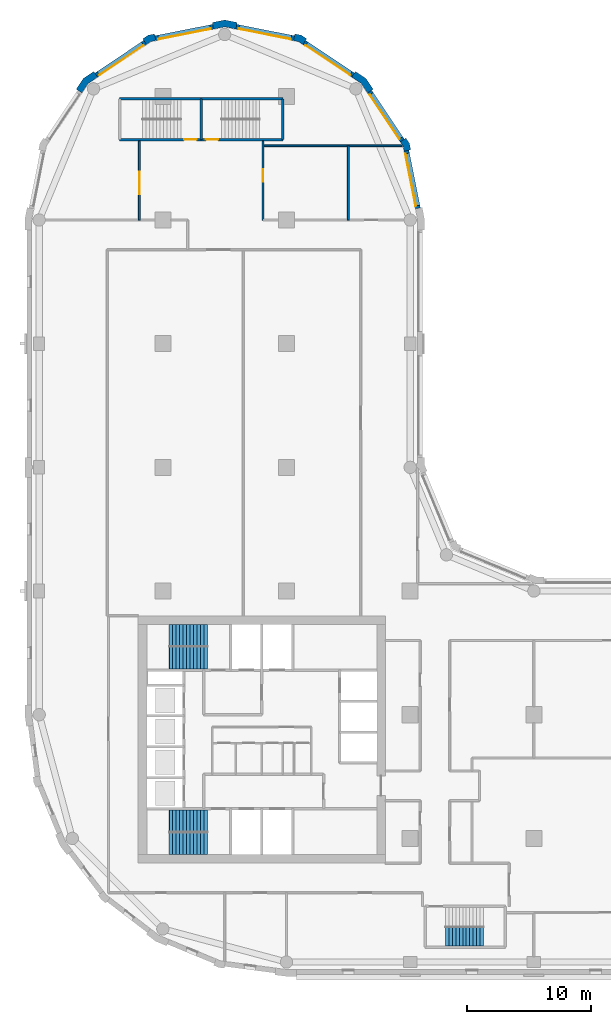
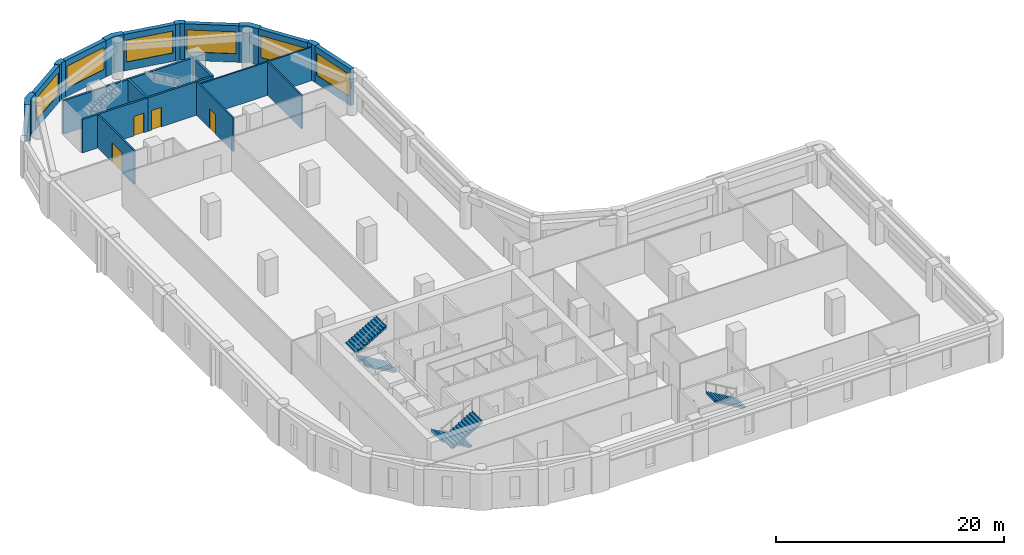
# One storey, part 6 of 9: 22 walls, 6 windows, 5 stair flights, 4 doors, 10 openings, 3 elements without a shape of their own.
"""IFC4 building model written with IfcOpenShell, lengths in metres."""

from ifc_helpers import new_model, si_unit, direction, frame, frame_2d, origin, place, context, subcontext, project, spatial, polyline, rectangle, outline, extrude, material, layer, layer_set, type_object, element, fill, aggregate, save


model = new_model("IFC4")

# Units and contexts
model_context = context("Model", 3, precision=1e-05, world=origin(), true_north=direction((0.0, 1.0)))
body_context = subcontext(model_context, "Body", "Model", "MODEL_VIEW")
ifc_project = project(units=[si_unit("LENGTHUNIT", "METRE"), si_unit("AREAUNIT", "SQUARE_METRE"), si_unit("VOLUMEUNIT", "CUBIC_METRE"), si_unit("PLANEANGLEUNIT", "RADIAN"), si_unit("MASSUNIT", "GRAM", prefix="KILO")], contexts=[model_context])

# Site, building, storey
site_placement = place(None, origin())
site = spatial("IfcSite", under=ifc_project, at=site_placement, CompositionType="ELEMENT")
building_placement = place(site_placement, origin())
building = spatial("IfcBuilding", under=site, at=building_placement, Name="Qaws Garden Tower", CompositionType="ELEMENT")
storey_placement = place(building_placement, frame((0.0, 0.0, 143.39990234375)))
storey = spatial("IfcBuildingStorey", under=building, at=storey_placement, Name="L34", CompositionType="ELEMENT", Elevation=143.39990234375)

# Wall, opening, window
ifc_material_1 = material(Name="Clay facing brick masonry", Category="masonry")
ifc_layer_1 = layer(ifc_material_1, 0.39990234375)
ifc_layer_set_1 = layer_set([ifc_layer_1], Name="Clay facing brick masonry")
wall_type_1 = type_object("IfcWallType", Name="Brick infill wall 400", PredefinedType="SOLIDWALL", material=ifc_layer_set_1)
wall_1_placement = place(storey_placement, frame((30.628662109375, 60.940673828125, 0.0), z_axis=(0.0, 0.0, 1.0), x_axis=(-0.195098533057, 0.98078364709, 0.0)))
wall_1 = element("IfcWall", 1, at=wall_1_placement, inside=storey, type_object=wall_type_1, Name="E-L34-infill-13", PredefinedType="SOLIDWALL", context=body_context, shape_type="SweptSolid", body=[
    extrude(rectangle(XDim=4.752685546875, YDim=0.39990234375, at=frame_2d((2.37646484375, 0.0))), origin(), (0.0, 0.0, 1.0), 3.900146484375),
])
opening_1_placement = place(wall_1_placement, frame((0.226318359375, 0.0, 0.89990234375)))
opening_1 = element("IfcOpeningElement", 2, at=opening_1_placement, cuts=wall_1, Name="Opening W06", PredefinedType="OPENING", context=body_context, shape_type="SweptSolid", body=[
    extrude(rectangle(XDim=4.300048828125, YDim=2.35009765625, at=frame_2d((2.14990234375, 1.175048828125))), frame((0.0, 0.2099609375, 0.0), z_axis=(0.0, -1.0, 0.0), x_axis=(1.0, 0.0, 0.0)), (0.0, 0.0, 1.0), 0.419921875),
])
ifc_material_2 = material(Name="Aluminium framed window, clear glazing", Category="aluminium")
window_type = type_object("IfcWindowType", Name="Ribbon window 4300 x 2350", PartitioningType="DOUBLE_PANEL_VERTICAL", PredefinedType="WINDOW", material=ifc_material_2)
window_1_placement = place(opening_1_placement, origin())
window_1 = element("IfcWindow", 3, at=window_1_placement, inside=storey, type_object=window_type, Name="E-L34-window-13-0", OverallHeight=2.35009765625, OverallWidth=4.300048828125, PartitioningType="SINGLE_PANEL", PredefinedType="WINDOW", context=body_context, shape_type="SweptSolid", body=[
    extrude(rectangle(XDim=4.300048828125, YDim=2.35009765625, at=frame_2d((2.14990234375, 1.175048828125))), frame((0.0, 0.159912109375, 0.0), z_axis=(0.0, -1.0, 0.0), x_axis=(1.0, 0.0, 0.0)), (0.0, 0.0, 1.0), 0.06005859375),
])
fill(opening_1, window_1)

wall_2_placement = place(storey_placement, frame((29.356689453125, 66.43408203125, 0.0), z_axis=(0.0, 0.0, 1.0), x_axis=(-0.555541552266, 0.831488775454, 0.0)))
wall_2 = element("IfcWall", 4, at=wall_2_placement, inside=storey, type_object=wall_type_1, Name="E-L34-infill-14", PredefinedType="SOLIDWALL", context=body_context, shape_type="SweptSolid", body=[
    extrude(rectangle(XDim=4.752685546875, YDim=0.39990234375, at=frame_2d((2.37646484375, 0.0))), origin(), (0.0, 0.0, 1.0), 3.900146484375),
])
opening_2_placement = place(wall_2_placement, frame((0.226318359375, 0.0, 0.89990234375)))
opening_2 = element("IfcOpeningElement", 5, at=opening_2_placement, cuts=wall_2, Name="Opening W06", PredefinedType="OPENING", context=body_context, shape_type="SweptSolid", body=[
    extrude(rectangle(XDim=4.300048828125, YDim=2.35009765625, at=frame_2d((2.14990234375, 1.175048828125))), frame((0.0, 0.2099609375, 0.0), z_axis=(0.0, -1.0, 0.0), x_axis=(1.0, 0.0, 0.0)), (0.0, 0.0, 1.0), 0.419921875),
])
window_2_placement = place(opening_2_placement, origin())
window_2 = element("IfcWindow", 6, at=window_2_placement, inside=storey, type_object=window_type, Name="E-L34-window-14-0", OverallHeight=2.35009765625, OverallWidth=4.300048828125, PartitioningType="SINGLE_PANEL", PredefinedType="WINDOW", context=body_context, shape_type="SweptSolid", body=[
    extrude(rectangle(XDim=4.300048828125, YDim=2.35009765625, at=frame_2d((2.14990234375, 1.175048828125))), frame((0.0, 0.159912109375, 0.0), z_axis=(0.0, -1.0, 0.0), x_axis=(1.0, 0.0, 0.0)), (0.0, 0.0, 1.0), 0.06005859375),
])
fill(opening_2, window_2)

wall_3_placement = place(storey_placement, frame((25.385986328125, 71.71630859375, 0.0), z_axis=(0.0, 0.0, 1.0), x_axis=(-0.831488775454, 0.555541552266, 0.0)))
wall_3 = element("IfcWall", 7, at=wall_3_placement, inside=storey, type_object=wall_type_1, Name="E-L34-infill-15", PredefinedType="SOLIDWALL", context=body_context, shape_type="SweptSolid", body=[
    extrude(rectangle(XDim=4.752685546875, YDim=0.39990234375, at=frame_2d((2.37646484375, 0.0))), origin(), (0.0, 0.0, 1.0), 3.900146484375),
])
opening_3_placement = place(wall_3_placement, frame((0.226318359375, 0.0, 0.89990234375)))
opening_3 = element("IfcOpeningElement", 8, at=opening_3_placement, cuts=wall_3, Name="Opening W06", PredefinedType="OPENING", context=body_context, shape_type="SweptSolid", body=[
    extrude(rectangle(XDim=4.300048828125, YDim=2.35009765625, at=frame_2d((2.14990234375, 1.175048828125))), frame((0.0, 0.2099609375, 0.0), z_axis=(0.0, -1.0, 0.0), x_axis=(1.0, 0.0, 0.0)), (0.0, 0.0, 1.0), 0.419921875),
])
window_3_placement = place(opening_3_placement, origin())
window_3 = element("IfcWindow", 9, at=window_3_placement, inside=storey, type_object=window_type, Name="E-L34-window-15-0", OverallHeight=2.35009765625, OverallWidth=4.300048828125, PartitioningType="SINGLE_PANEL", PredefinedType="WINDOW", context=body_context, shape_type="SweptSolid", body=[
    extrude(rectangle(XDim=4.300048828125, YDim=2.35009765625, at=frame_2d((2.14990234375, 1.175048828125))), frame((0.0, 0.159912109375, 0.0), z_axis=(0.0, -1.0, 0.0), x_axis=(1.0, 0.0, 0.0)), (0.0, 0.0, 1.0), 0.06005859375),
])
fill(opening_3, window_3)

wall_4_placement = place(storey_placement, frame((20.60205078125, 74.701416015625, 0.0), z_axis=(0.0, 0.0, 1.0), x_axis=(-0.98078364709, 0.195098533057, 0.0)))
wall_4 = element("IfcWall", 10, at=wall_4_placement, inside=storey, type_object=wall_type_1, Name="E-L34-infill-16", PredefinedType="SOLIDWALL", context=body_context, shape_type="SweptSolid", body=[
    extrude(rectangle(XDim=4.752685546875, YDim=0.39990234375, at=frame_2d((2.37646484375, 0.0))), origin(), (0.0, 0.0, 1.0), 3.900146484375),
])
opening_4_placement = place(wall_4_placement, frame((0.226318359375, 0.0, 0.89990234375)))
opening_4 = element("IfcOpeningElement", 11, at=opening_4_placement, cuts=wall_4, Name="Opening W06", PredefinedType="OPENING", context=body_context, shape_type="SweptSolid", body=[
    extrude(rectangle(XDim=4.300048828125, YDim=2.35009765625, at=frame_2d((2.14990234375, 1.175048828125))), frame((0.0, 0.2099609375, 0.0), z_axis=(0.0, -1.0, 0.0), x_axis=(1.0, 0.0, 0.0)), (0.0, 0.0, 1.0), 0.419921875),
])
window_4_placement = place(opening_4_placement, origin())
window_4 = element("IfcWindow", 12, at=window_4_placement, inside=storey, type_object=window_type, Name="E-L34-window-16-0", OverallHeight=2.35009765625, OverallWidth=4.300048828125, PartitioningType="SINGLE_PANEL", PredefinedType="WINDOW", context=body_context, shape_type="SweptSolid", body=[
    extrude(rectangle(XDim=4.300048828125, YDim=2.35009765625, at=frame_2d((2.14990234375, 1.175048828125))), frame((0.0, 0.159912109375, 0.0), z_axis=(0.0, -1.0, 0.0), x_axis=(1.0, 0.0, 0.0)), (0.0, 0.0, 1.0), 0.06005859375),
])
fill(opening_4, window_4)

wall_5_placement = place(storey_placement, frame((14.059326171875, 75.628662109375, 0.0), z_axis=(0.0, 0.0, 1.0), x_axis=(-0.98078364709, -0.195098533057, 0.0)))
wall_5 = element("IfcWall", 13, at=wall_5_placement, inside=storey, type_object=wall_type_1, Name="E-L34-infill-17", PredefinedType="SOLIDWALL", context=body_context, shape_type="SweptSolid", body=[
    extrude(rectangle(XDim=4.752685546875, YDim=0.39990234375, at=frame_2d((2.37646484375, 0.0))), origin(), (0.0, 0.0, 1.0), 3.900146484375),
])
opening_5_placement = place(wall_5_placement, frame((0.226318359375, 0.0, 0.89990234375)))
opening_5 = element("IfcOpeningElement", 14, at=opening_5_placement, cuts=wall_5, Name="Opening W06", PredefinedType="OPENING", context=body_context, shape_type="SweptSolid", body=[
    extrude(rectangle(XDim=4.300048828125, YDim=2.35009765625, at=frame_2d((2.14990234375, 1.175048828125))), frame((0.0, 0.2099609375, 0.0), z_axis=(0.0, -1.0, 0.0), x_axis=(1.0, 0.0, 0.0)), (0.0, 0.0, 1.0), 0.419921875),
])
window_5_placement = place(opening_5_placement, origin())
window_5 = element("IfcWindow", 15, at=window_5_placement, inside=storey, type_object=window_type, Name="E-L34-window-17-0", OverallHeight=2.35009765625, OverallWidth=4.300048828125, PartitioningType="SINGLE_PANEL", PredefinedType="WINDOW", context=body_context, shape_type="SweptSolid", body=[
    extrude(rectangle(XDim=4.300048828125, YDim=2.35009765625, at=frame_2d((2.14990234375, 1.175048828125))), frame((0.0, 0.159912109375, 0.0), z_axis=(0.0, -1.0, 0.0), x_axis=(1.0, 0.0, 0.0)), (0.0, 0.0, 1.0), 0.06005859375),
])
fill(opening_5, window_5)

wall_6_placement = place(storey_placement, frame((8.56591796875, 74.356689453125, 0.0), z_axis=(0.0, 0.0, 1.0), x_axis=(-0.831488775454, -0.555541552266, 0.0)))
wall_6 = element("IfcWall", 16, at=wall_6_placement, inside=storey, type_object=wall_type_1, Name="E-L34-infill-18", PredefinedType="SOLIDWALL", context=body_context, shape_type="SweptSolid", body=[
    extrude(rectangle(XDim=4.752685546875, YDim=0.39990234375, at=frame_2d((2.37646484375, 0.0))), origin(), (0.0, 0.0, 1.0), 3.900146484375),
])
opening_6_placement = place(wall_6_placement, frame((0.226318359375, 0.0, 0.89990234375)))
opening_6 = element("IfcOpeningElement", 17, at=opening_6_placement, cuts=wall_6, Name="Opening W06", PredefinedType="OPENING", context=body_context, shape_type="SweptSolid", body=[
    extrude(rectangle(XDim=4.300048828125, YDim=2.35009765625, at=frame_2d((2.14990234375, 1.175048828125))), frame((0.0, 0.2099609375, 0.0), z_axis=(0.0, -1.0, 0.0), x_axis=(1.0, 0.0, 0.0)), (0.0, 0.0, 1.0), 0.419921875),
])
window_6_placement = place(opening_6_placement, origin())
window_6 = element("IfcWindow", 18, at=window_6_placement, inside=storey, type_object=window_type, Name="E-L34-window-18-0", OverallHeight=2.35009765625, OverallWidth=4.300048828125, PartitioningType="SINGLE_PANEL", PredefinedType="WINDOW", context=body_context, shape_type="SweptSolid", body=[
    extrude(rectangle(XDim=4.300048828125, YDim=2.35009765625, at=frame_2d((2.14990234375, 1.175048828125))), frame((0.0, 0.159912109375, 0.0), z_axis=(0.0, -1.0, 0.0), x_axis=(1.0, 0.0, 0.0)), (0.0, 0.0, 1.0), 0.06005859375),
])
fill(opening_6, window_6)

# Walls
ifc_material_3 = material(Name="Clay facing brick masonry", Category="masonry")
ifc_layer_2 = layer(ifc_material_3, 0.550048828125)
ifc_layer_set_2 = layer_set([ifc_layer_2], Name="Clay facing brick masonry")
wall_type_2 = type_object("IfcWallType", Name="Brick kink pier 550 x 600", PredefinedType="SOLIDWALL", material=ifc_layer_set_2)
placement = place(storey_placement, origin())
element("IfcWall", 19, at=placement, inside=storey, type_object=wall_type_2, Name="E-L34-pier-14", PredefinedType="SOLIDWALL", context=body_context, shape_type="SweptSolid", body=[
    extrude(outline(polyline([(29.8974609375, 65.64111328125), (30.044677734375, 65.67041015625), (29.94140625, 66.18896484375), (29.647705078125, 66.628662109375), (29.52294921875, 66.545166015625), (29.1904296875, 66.322998046875), (29.42333984375, 65.974365234375), (29.505126953125, 65.56298828125), (29.8974609375, 65.64111328125)])), origin(), (0.0, 0.0, 1.0), 3.900146484375),
])
element("IfcWall", 20, at=placement, inside=storey, type_object=wall_type_2, Name="E-L34-pier-16", PredefinedType="SOLIDWALL", context=body_context, shape_type="SweptSolid", body=[
    extrude(outline(polyline([(21.545166015625, 74.52294921875), (21.628662109375, 74.647705078125), (21.18896484375, 74.94140625), (20.67041015625, 75.044677734375), (20.64111328125, 74.8974609375), (20.56298828125, 74.505126953125), (20.974365234375, 74.42333984375), (21.322998046875, 74.1904296875), (21.545166015625, 74.52294921875)])), origin(), (0.0, 0.0, 1.0), 3.900146484375),
])
element("IfcWall", 21, at=placement, inside=storey, type_object=wall_type_2, Name="E-L34-pier-18", PredefinedType="SOLIDWALL", context=body_context, shape_type="SweptSolid", body=[
    extrude(outline(polyline([(9.35888671875, 74.8974609375), (9.32958984375, 75.044677734375), (8.81103515625, 74.94140625), (8.371337890625, 74.647705078125), (8.454833984375, 74.52294921875), (8.677001953125, 74.1904296875), (9.025634765625, 74.42333984375), (9.43701171875, 74.505126953125), (9.35888671875, 74.8974609375)])), origin(), (0.0, 0.0, 1.0), 3.900146484375),
])
ifc_material_4 = material(Name="Clay facing brick masonry", Category="masonry")
ifc_layer_3 = layer(ifc_material_4, 0.550048828125)
ifc_layer_set_3 = layer_set([ifc_layer_3], Name="Clay facing brick masonry")
wall_type_3 = type_object("IfcWallType", Name="Brick pier 550 x 1600", PredefinedType="SOLIDWALL", material=ifc_layer_set_3)
element("IfcWall", 22, at=placement, inside=storey, type_object=wall_type_3, Name="E-L34-pier-15", PredefinedType="SOLIDWALL", context=body_context, shape_type="SweptSolid", body=[
    extrude(outline(polyline([(26.882568359375, 70.4970703125), (27.00732421875, 70.580322265625), (26.435791015625, 71.435791015625), (25.580322265625, 72.00732421875), (25.4970703125, 71.882568359375), (25.274658203125, 71.550048828125), (26.0390625, 71.0390625), (26.550048828125, 70.274658203125), (26.882568359375, 70.4970703125)])), origin(), (0.0, 0.0, 1.0), 3.900146484375),
])
element("IfcWall", 23, at=placement, inside=storey, type_object=wall_type_3, Name="E-L34-pier-17", PredefinedType="SOLIDWALL", context=body_context, shape_type="SweptSolid", body=[
    extrude(outline(polyline([(15.979736328125, 75.82470703125), (16.009033203125, 75.971923828125), (15.0, 76.172607421875), (13.990966796875, 75.971923828125), (14.020263671875, 75.82470703125), (14.098388671875, 75.432373046875), (15.0, 75.61181640625), (15.901611328125, 75.432373046875), (15.979736328125, 75.82470703125)])), origin(), (0.0, 0.0, 1.0), 3.900146484375),
])
element("IfcWall", 24, at=placement, inside=storey, type_object=wall_type_3, Name="E-L34-pier-19", PredefinedType="SOLIDWALL", context=body_context, shape_type="SweptSolid", body=[
    extrude(outline(polyline([(4.5029296875, 71.882568359375), (4.419677734375, 72.00732421875), (3.564208984375, 71.435791015625), (2.99267578125, 70.580322265625), (3.117431640625, 70.4970703125), (3.449951171875, 70.274658203125), (3.9609375, 71.0390625), (4.725341796875, 71.550048828125), (4.5029296875, 71.882568359375)])), origin(), (0.0, 0.0, 1.0), 3.900146484375),
])

# Wall, opening, door
ifc_material_5 = material(Name="Concrete C70", Category="concrete")
ifc_layer_4 = layer(ifc_material_5, 0.199951171875)
ifc_layer_set_4 = layer_set([ifc_layer_4], Name="Concrete C70")
wall_type_4 = type_object("IfcWallType", Name="Core shaft wall 200 C70", PredefinedType="SHEAR", material=ifc_layer_set_4)
wall_13_placement = place(storey_placement, frame((6.5, 66.5, 0.0), z_axis=(0.0, 0.0, 1.0), x_axis=(1.0, 0.0, 0.0)))
wall_13 = element("IfcWall", 25, at=wall_13_placement, inside=storey, type_object=wall_type_4, Name="Shaft wall", PredefinedType="SHEAR", context=body_context, shape_type="SweptSolid", body=[
    extrude(rectangle(XDim=6.60009765625, YDim=0.199951171875, at=frame_2d((3.300048828125, 0.0))), origin(), (0.0, 0.0, 1.0), 3.580078125),
])
opening_7_placement = place(wall_13_placement, frame((5.22509765625, 0.0, 0.0)))
opening_7 = element("IfcOpeningElement", 26, at=opening_7_placement, cuts=wall_13, Name="Opening SD13", PredefinedType="OPENING", context=body_context, shape_type="SweptSolid", body=[
    extrude(rectangle(XDim=1.0, YDim=2.10009765625, at=frame_2d((0.5, 1.050048828125))), frame((0.0, 0.10986328125, 0.0), z_axis=(0.0, -1.0, 0.0), x_axis=(1.0, 0.0, 0.0)), (0.0, 0.0, 1.0), 0.219970703125),
])
ifc_material_6 = material(Name="Steel S235", Category="steel")
door_type_1 = type_object("IfcDoorType", Name="Stair door 1000x2100", OperationType="SINGLE_SWING_RIGHT", PredefinedType="DOOR", material=ifc_material_6)
door_1_placement = place(opening_7_placement, origin())
door_1 = element("IfcDoor", 27, at=door_1_placement, inside=storey, type_object=door_type_1, Name="Stair 6 door", OperationType="SINGLE_SWING_RIGHT", OverallHeight=2.10009765625, OverallWidth=1.0, PredefinedType="DOOR", context=body_context, shape_type="SweptSolid", body=[
    extrude(rectangle(XDim=1.0, YDim=2.10009765625, at=frame_2d((0.5, 1.050048828125))), frame((0.0, 0.02490234375, 0.0), z_axis=(0.0, -1.0, 0.0), x_axis=(1.0, 0.0, 0.0)), (0.0, 0.0, 1.0), 0.050048828125),
])
fill(opening_7, door_1)

wall_14_placement = place(storey_placement, frame((13.10009765625, 66.5, 0.0), z_axis=(0.0, 0.0, 1.0), x_axis=(1.0, 0.0, 0.0)))
wall_14 = element("IfcWall", 28, at=wall_14_placement, inside=storey, type_object=wall_type_4, Name="Shaft wall", PredefinedType="SHEAR", context=body_context, shape_type="SweptSolid", body=[
    extrude(rectangle(XDim=6.599853515625, YDim=0.199951171875, at=frame_2d((3.2998046875, 0.0))), origin(), (0.0, 0.0, 1.0), 3.580078125),
])
opening_8_placement = place(wall_14_placement, frame((0.375, 0.0, 0.0)))
opening_8 = element("IfcOpeningElement", 29, at=opening_8_placement, cuts=wall_14, Name="Opening SD14", PredefinedType="OPENING", context=body_context, shape_type="SweptSolid", body=[
    extrude(rectangle(XDim=1.0, YDim=2.10009765625, at=frame_2d((0.5, 1.050048828125))), frame((0.0, 0.10986328125, 0.0), z_axis=(0.0, -1.0, 0.0), x_axis=(1.0, 0.0, 0.0)), (0.0, 0.0, 1.0), 0.219970703125),
])
door_2_placement = place(opening_8_placement, origin())
door_2 = element("IfcDoor", 30, at=door_2_placement, inside=storey, type_object=door_type_1, Name="Stair 7 door", OperationType="SINGLE_SWING_LEFT", OverallHeight=2.10009765625, OverallWidth=1.0, PredefinedType="DOOR", context=body_context, shape_type="SweptSolid", body=[
    extrude(rectangle(XDim=1.0, YDim=2.10009765625, at=frame_2d((0.5, 1.050048828125))), frame((0.0, 0.02490234375, 0.0), z_axis=(0.0, -1.0, 0.0), x_axis=(1.0, 0.0, 0.0)), (0.0, 0.0, 1.0), 0.050048828125),
])
fill(opening_8, door_2)

# Walls
wall_15_placement = place(storey_placement, frame((6.5, 69.800048828125, 0.0), z_axis=(0.0, 0.0, 1.0), x_axis=(1.0, 0.0, 0.0)))
element("IfcWall", 31, at=wall_15_placement, inside=storey, type_object=wall_type_4, Name="Shaft wall", PredefinedType="SHEAR", context=body_context, shape_type="SweptSolid", body=[
    extrude(rectangle(XDim=6.60009765625, YDim=0.199951171875, at=frame_2d((3.300048828125, 0.0))), origin(), (0.0, 0.0, 1.0), 3.580078125),
])
wall_16_placement = place(storey_placement, frame((13.10009765625, 69.800048828125, 0.0), z_axis=(0.0, 0.0, 1.0), x_axis=(1.0, 0.0, 0.0)))
element("IfcWall", 32, at=wall_16_placement, inside=storey, type_object=wall_type_4, Name="Shaft wall", PredefinedType="SHEAR", context=body_context, shape_type="SweptSolid", body=[
    extrude(rectangle(XDim=6.599853515625, YDim=0.199951171875, at=frame_2d((3.2998046875, 0.0))), origin(), (0.0, 0.0, 1.0), 3.580078125),
])
for number, where, z_axis, x_axis, name in (
    (33, (13.10009765625, 66.5, 0.0), (0.0, 0.0, 1.0), (0.0, 1.0, 0.0), "Shaft wall"),
    (34, (19.699951171875, 66.5, 0.0), (0.0, 0.0, 1.0), (0.0, 1.0, 0.0), "Shaft wall"),
):
    element("IfcWall", number, at=place(storey_placement, frame(where, z_axis=z_axis, x_axis=x_axis)), inside=storey, type_object=wall_type_4, Name=name, PredefinedType="SHEAR", context=body_context, shape_type="SweptSolid", body=[
        extrude(rectangle(XDim=3.300048828125, YDim=0.199951171875, at=frame_2d((1.64990234375, 0.0))), origin(), (0.0, 0.0, 1.0), 3.580078125),
    ])

# Wall, opening, door
ifc_material_7 = material(Name="Gypsum board partition")
ifc_layer_5 = layer(ifc_material_7, 0.14990234375)
ifc_layer_set_5 = layer_set([ifc_layer_5], Name="Gypsum board partition")
wall_type_5 = type_object("IfcWallType", Name="PARTITION 150 EI 60", PredefinedType="PARTITIONING", material=ifc_layer_set_5)
wall_17_placement = place(storey_placement, frame((8.10009765625, 60.0, 0.0), z_axis=(0.0, 0.0, 1.0), x_axis=(0.0, 1.0, 0.0)))
wall_17 = element("IfcWall", 35, at=wall_17_placement, inside=storey, type_object=wall_type_5, Name="O-L34-wall-006", PredefinedType="PARTITIONING", context=body_context, shape_type="SweptSolid", body=[
    extrude(rectangle(XDim=6.39990234375, YDim=0.14990234375, at=frame_2d((3.199951171875, 0.0))), origin(), (0.0, 0.0, 1.0), 3.580078125),
])
opening_9_placement = place(wall_17_placement, frame((2.10009765625, 0.0, 0.0)))
opening_9 = element("IfcOpeningElement", 36, at=opening_9_placement, cuts=wall_17, Name="Opening B207", PredefinedType="OPENING", context=body_context, shape_type="SweptSolid", body=[
    extrude(rectangle(XDim=1.800048828125, YDim=2.10009765625, at=frame_2d((0.89990234375, 1.050048828125))), frame((0.0, 0.0849609375, 0.0), z_axis=(0.0, -1.0, 0.0), x_axis=(1.0, 0.0, 0.0)), (0.0, 0.0, 1.0), 0.169921875),
])
ifc_material_8 = material(Name="Timber door leaf", Category="wood")
door_type_2 = type_object("IfcDoorType", Name="DOUBLE DOOR 1800 X 2100", OperationType="DOUBLE_DOOR_SINGLE_SWING", PredefinedType="DOOR", material=ifc_material_8)
door_3_placement = place(opening_9_placement, origin())
door_3 = element("IfcDoor", 37, at=door_3_placement, inside=storey, type_object=door_type_2, Name="O-L34-door-007", OperationType="DOUBLE_DOOR_SINGLE_SWING", OverallHeight=2.10009765625, OverallWidth=1.800048828125, PredefinedType="DOOR", context=body_context, shape_type="SweptSolid", body=[
    extrude(rectangle(XDim=1.800048828125, YDim=2.10009765625, at=frame_2d((0.89990234375, 1.050048828125))), frame((0.0, 0.02490234375, 0.0), z_axis=(0.0, -1.0, 0.0), x_axis=(1.0, 0.0, 0.0)), (0.0, 0.0, 1.0), 0.050048828125),
])
fill(opening_9, door_3)

wall_18_placement = place(storey_placement, frame((18.10009765625, 60.0, 0.0), z_axis=(0.0, 0.0, 1.0), x_axis=(0.0, 1.0, 0.0)))
wall_18 = element("IfcWall", 38, at=wall_18_placement, inside=storey, type_object=wall_type_5, Name="O-L34-wall-010", PredefinedType="PARTITIONING", context=body_context, shape_type="SweptSolid", body=[
    extrude(rectangle(XDim=6.39990234375, YDim=0.14990234375, at=frame_2d((3.199951171875, 0.0))), origin(), (0.0, 0.0, 1.0), 3.580078125),
])
opening_10_placement = place(wall_18_placement, frame((3.10009765625, 0.0, 0.0)))
opening_10 = element("IfcOpeningElement", 39, at=opening_10_placement, cuts=wall_18, Name="Opening B208", PredefinedType="OPENING", context=body_context, shape_type="SweptSolid", body=[
    extrude(rectangle(XDim=1.0, YDim=2.10009765625, at=frame_2d((0.5, 1.050048828125))), frame((0.0, 0.0849609375, 0.0), z_axis=(0.0, -1.0, 0.0), x_axis=(1.0, 0.0, 0.0)), (0.0, 0.0, 1.0), 0.169921875),
])
ifc_material_9 = material(Name="Timber door leaf", Category="wood")
door_type_3 = type_object("IfcDoorType", Name="TENANCY ENTRANCE DOOR 1000 X 2100", OperationType="SINGLE_SWING_LEFT", PredefinedType="DOOR", material=ifc_material_9)
door_4_placement = place(opening_10_placement, frame((1.0, 0.0, 0.0), z_axis=(0.0, 0.0, 1.0), x_axis=(-1.0, 0.0, 0.0)))
door_4 = element("IfcDoor", 40, at=door_4_placement, inside=storey, type_object=door_type_3, Name="O-L34-door-008", OperationType="SINGLE_SWING_RIGHT", OverallHeight=2.10009765625, OverallWidth=1.0, PredefinedType="DOOR", context=body_context, shape_type="SweptSolid", body=[
    extrude(rectangle(XDim=1.0, YDim=2.10009765625, at=frame_2d((0.5, 1.050048828125))), frame((0.0, 0.02490234375, 0.0), z_axis=(0.0, -1.0, 0.0), x_axis=(1.0, 0.0, 0.0)), (0.0, 0.0, 1.0), 0.050048828125),
])
fill(opening_10, door_4)

# Walls
wall_19_placement = place(storey_placement, frame((25.0, 60.0, 0.0), z_axis=(0.0, 0.0, 1.0), x_axis=(0.0, 1.0, 0.0)))
element("IfcWall", 41, at=wall_19_placement, inside=storey, type_object=wall_type_5, Name="O-L34-wall-012", PredefinedType="PARTITIONING", context=body_context, shape_type="SweptSolid", body=[
    extrude(rectangle(XDim=6.0, YDim=0.14990234375, at=frame_2d((3.0, 0.0))), origin(), (0.0, 0.0, 1.0), 3.580078125),
])
wall_20_placement = place(storey_placement, frame((18.10009765625, 66.0, 0.0), z_axis=(0.0, 0.0, 1.0), x_axis=(1.0, 0.0, 0.0)))
element("IfcWall", 42, at=wall_20_placement, inside=storey, type_object=wall_type_5, Name="O-L34-wall-050", PredefinedType="PARTITIONING", context=body_context, shape_type="SweptSolid", body=[
    extrude(rectangle(XDim=11.256103515625, YDim=0.14990234375, at=frame_2d((5.6279296875, 0.0))), origin(), (0.0, 0.0, 1.0), 3.580078125),
])

# Stair, stair flight
ifc_material_10 = material(Name="Concrete C40", Category="concrete")
stair_type_1 = type_object("IfcStairType", Name="Exit stair 1350", PredefinedType="HALF_TURN_STAIR", material=ifc_material_10)
stair_1 = element("IfcStair", 43, at=placement, inside=storey, type_object=stair_type_1, Name="Stair 5", PredefinedType="HALF_TURN_STAIR")
ifc_material_11 = material(Name="Concrete C40", Category="concrete")
stair_flight_type_1 = type_object("IfcStairFlightType", Name="Stair flight 1350", PredefinedType="STRAIGHT", material=ifc_material_11)
stair_flight_1_placement = place(storey_placement, frame((35.929931640625, 2.074951171875, 1.9501953125), z_axis=(0.0, 0.0, 1.0), x_axis=(-1.0, 0.0, 0.0)))
stair_flight_1 = element("IfcStairFlight", 44, at=stair_flight_1_placement, type_object=stair_flight_type_1, Name="ST5 flight 2", NumberOfRisers=12, NumberOfTreads=11, PredefinedType="STRAIGHT", RiserHeight=0.1625, TreadLength=0.28, context=body_context, shape_type="SweptSolid", body=[
    extrude(outline(polyline([(-0.0029296875, 0.0), (-0.0029296875, 0.16259765625), (0.0, 0.16259765625), (0.280029296875, 0.16259765625), (0.280029296875, 0.324951171875), (0.56005859375, 0.324951171875), (0.56005859375, 0.487548828125), (0.840087890625, 0.487548828125), (0.840087890625, 0.64990234375), (1.1201171875, 0.64990234375), (1.1201171875, 0.8125), (1.39990234375, 0.8125), (1.39990234375, 0.97509765625), (1.679931640625, 0.97509765625), (1.679931640625, 1.137451171875), (1.9599609375, 1.137451171875), (1.9599609375, 1.300048828125), (2.239990234375, 1.300048828125), (2.239990234375, 1.46240234375), (2.52001953125, 1.46240234375), (2.52001953125, 1.625), (2.800048828125, 1.625), (2.800048828125, 1.78759765625), (3.080078125, 1.78759765625), (3.080078125, 1.949951171875), (3.0830078125, 1.949951171875), (3.0830078125, 1.6142578125), (3.080078125, 1.6142578125), (0.298583984375, 0.0), (-0.0029296875, 0.0)])), frame((0.0, 0.77490234375, 0.0), z_axis=(0.0, -1.0, 0.0), x_axis=(1.0, 0.0, 0.0)), (0.0, 0.0, 1.0), 1.550048828125),
])
aggregate(stair_1, [stair_flight_1])

# Stair, stair flights
ifc_material_12 = material(Name="Concrete C40", Category="concrete")
stair_type_2 = type_object("IfcStairType", Name="Exit stair 1500", PredefinedType="HALF_TURN_STAIR", material=ifc_material_12)
stair_2 = element("IfcStair", 45, at=placement, inside=storey, type_object=stair_type_2, Name="Stair 1", PredefinedType="HALF_TURN_STAIR")
ifc_material_13 = material(Name="Concrete C40", Category="concrete")
stair_flight_type_2 = type_object("IfcStairFlightType", Name="Stair flight 1500", PredefinedType="STRAIGHT", material=ifc_material_13)
stair_flight_2_placement = place(storey_placement, frame((13.60009765625, 11.39990234375, 0.0), z_axis=(0.0, 0.0, 1.0), x_axis=(-1.0, 0.0, 0.0)))
stair_flight_2 = element("IfcStairFlight", 46, at=stair_flight_2_placement, type_object=stair_flight_type_2, Name="ST1 flight 1", NumberOfRisers=12, NumberOfTreads=11, PredefinedType="STRAIGHT", RiserHeight=0.1625, TreadLength=0.28, context=body_context, shape_type="SweptSolid", body=[
    extrude(outline(polyline([(-0.0029296875, 0.0), (-0.0029296875, 0.16259765625), (0.0, 0.16259765625), (0.280029296875, 0.16259765625), (0.280029296875, 0.324951171875), (0.56005859375, 0.324951171875), (0.56005859375, 0.487548828125), (0.840087890625, 0.487548828125), (0.840087890625, 0.64990234375), (1.1201171875, 0.64990234375), (1.1201171875, 0.8125), (1.39990234375, 0.8125), (1.39990234375, 0.97509765625), (1.679931640625, 0.97509765625), (1.679931640625, 1.137451171875), (1.9599609375, 1.137451171875), (1.9599609375, 1.300048828125), (2.239990234375, 1.300048828125), (2.239990234375, 1.46240234375), (2.52001953125, 1.46240234375), (2.52001953125, 1.625), (2.800048828125, 1.625), (2.800048828125, 1.78759765625), (3.080078125, 1.78759765625), (3.080078125, 1.949951171875), (3.0830078125, 1.949951171875), (3.0830078125, 1.6142578125), (3.080078125, 1.6142578125), (0.298583984375, 0.0), (-0.0029296875, 0.0)])), frame((0.0, 0.89990234375, 0.0), z_axis=(0.0, -1.0, 0.0), x_axis=(1.0, 0.0, 0.0)), (0.0, 0.0, 1.0), 1.800048828125),
])
stair_flight_3_placement = place(storey_placement, frame((10.52001953125, 9.60009765625, 1.9501953125), z_axis=(0.0, 0.0, 1.0), x_axis=(1.0, 0.0, 0.0)))
stair_flight_3 = element("IfcStairFlight", 47, at=stair_flight_3_placement, type_object=stair_flight_type_2, Name="ST1 flight 2", NumberOfRisers=12, NumberOfTreads=11, PredefinedType="STRAIGHT", RiserHeight=0.1625, TreadLength=0.28, context=body_context, shape_type="SweptSolid", body=[
    extrude(outline(polyline([(-0.0029296875, 0.0), (-0.0029296875, 0.16259765625), (0.0, 0.16259765625), (0.280029296875, 0.16259765625), (0.280029296875, 0.324951171875), (0.56005859375, 0.324951171875), (0.56005859375, 0.487548828125), (0.840087890625, 0.487548828125), (0.840087890625, 0.64990234375), (1.1201171875, 0.64990234375), (1.1201171875, 0.8125), (1.39990234375, 0.8125), (1.39990234375, 0.97509765625), (1.679931640625, 0.97509765625), (1.679931640625, 1.137451171875), (1.9599609375, 1.137451171875), (1.9599609375, 1.300048828125), (2.239990234375, 1.300048828125), (2.239990234375, 1.46240234375), (2.52001953125, 1.46240234375), (2.52001953125, 1.625), (2.800048828125, 1.625), (2.800048828125, 1.78759765625), (3.080078125, 1.78759765625), (3.080078125, 1.949951171875), (3.0830078125, 1.949951171875), (3.0830078125, 1.6142578125), (3.080078125, 1.6142578125), (0.298583984375, 0.0), (-0.0029296875, 0.0)])), frame((0.0, 0.89990234375, 0.0), z_axis=(0.0, -1.0, 0.0), x_axis=(1.0, 0.0, 0.0)), (0.0, 0.0, 1.0), 1.800048828125),
])
aggregate(stair_2, [stair_flight_2, stair_flight_3])

stair_3 = element("IfcStair", 48, at=placement, inside=storey, type_object=stair_type_2, Name="Stair 4", PredefinedType="HALF_TURN_STAIR")
stair_flight_4_placement = place(storey_placement, frame((13.60009765625, 24.60009765625, 0.0), z_axis=(0.0, 0.0, 1.0), x_axis=(-1.0, 0.0, 0.0)))
stair_flight_4 = element("IfcStairFlight", 49, at=stair_flight_4_placement, type_object=stair_flight_type_2, Name="ST4 flight 1", NumberOfRisers=12, NumberOfTreads=11, PredefinedType="STRAIGHT", RiserHeight=0.1625, TreadLength=0.28, context=body_context, shape_type="SweptSolid", body=[
    extrude(outline(polyline([(-0.0029296875, 0.0), (-0.0029296875, 0.16259765625), (0.0, 0.16259765625), (0.280029296875, 0.16259765625), (0.280029296875, 0.324951171875), (0.56005859375, 0.324951171875), (0.56005859375, 0.487548828125), (0.840087890625, 0.487548828125), (0.840087890625, 0.64990234375), (1.1201171875, 0.64990234375), (1.1201171875, 0.8125), (1.39990234375, 0.8125), (1.39990234375, 0.97509765625), (1.679931640625, 0.97509765625), (1.679931640625, 1.137451171875), (1.9599609375, 1.137451171875), (1.9599609375, 1.300048828125), (2.239990234375, 1.300048828125), (2.239990234375, 1.46240234375), (2.52001953125, 1.46240234375), (2.52001953125, 1.625), (2.800048828125, 1.625), (2.800048828125, 1.78759765625), (3.080078125, 1.78759765625), (3.080078125, 1.949951171875), (3.0830078125, 1.949951171875), (3.0830078125, 1.6142578125), (3.080078125, 1.6142578125), (0.298583984375, 0.0), (-0.0029296875, 0.0)])), frame((0.0, 0.89501953125, 0.0), z_axis=(0.0, -1.0, 0.0), x_axis=(1.0, 0.0, 0.0)), (0.0, 0.0, 1.0), 1.7900390625),
])
stair_flight_5_placement = place(storey_placement, frame((10.52001953125, 26.39990234375, 1.9501953125), z_axis=(0.0, 0.0, 1.0), x_axis=(1.0, 0.0, 0.0)))
stair_flight_5 = element("IfcStairFlight", 50, at=stair_flight_5_placement, type_object=stair_flight_type_2, Name="ST4 flight 2", NumberOfRisers=12, NumberOfTreads=11, PredefinedType="STRAIGHT", RiserHeight=0.1625, TreadLength=0.28, context=body_context, shape_type="SweptSolid", body=[
    extrude(outline(polyline([(-0.0029296875, 0.0), (-0.0029296875, 0.16259765625), (0.0, 0.16259765625), (0.280029296875, 0.16259765625), (0.280029296875, 0.324951171875), (0.56005859375, 0.324951171875), (0.56005859375, 0.487548828125), (0.840087890625, 0.487548828125), (0.840087890625, 0.64990234375), (1.1201171875, 0.64990234375), (1.1201171875, 0.8125), (1.39990234375, 0.8125), (1.39990234375, 0.97509765625), (1.679931640625, 0.97509765625), (1.679931640625, 1.137451171875), (1.9599609375, 1.137451171875), (1.9599609375, 1.300048828125), (2.239990234375, 1.300048828125), (2.239990234375, 1.46240234375), (2.52001953125, 1.46240234375), (2.52001953125, 1.625), (2.800048828125, 1.625), (2.800048828125, 1.78759765625), (3.080078125, 1.78759765625), (3.080078125, 1.949951171875), (3.0830078125, 1.949951171875), (3.0830078125, 1.6142578125), (3.080078125, 1.6142578125), (0.298583984375, 0.0), (-0.0029296875, 0.0)])), frame((0.0, 0.89501953125, 0.0), z_axis=(0.0, -1.0, 0.0), x_axis=(1.0, 0.0, 0.0)), (0.0, 0.0, 1.0), 1.7900390625),
])
aggregate(stair_3, [stair_flight_4, stair_flight_5])

save(model, "model.ifc")
